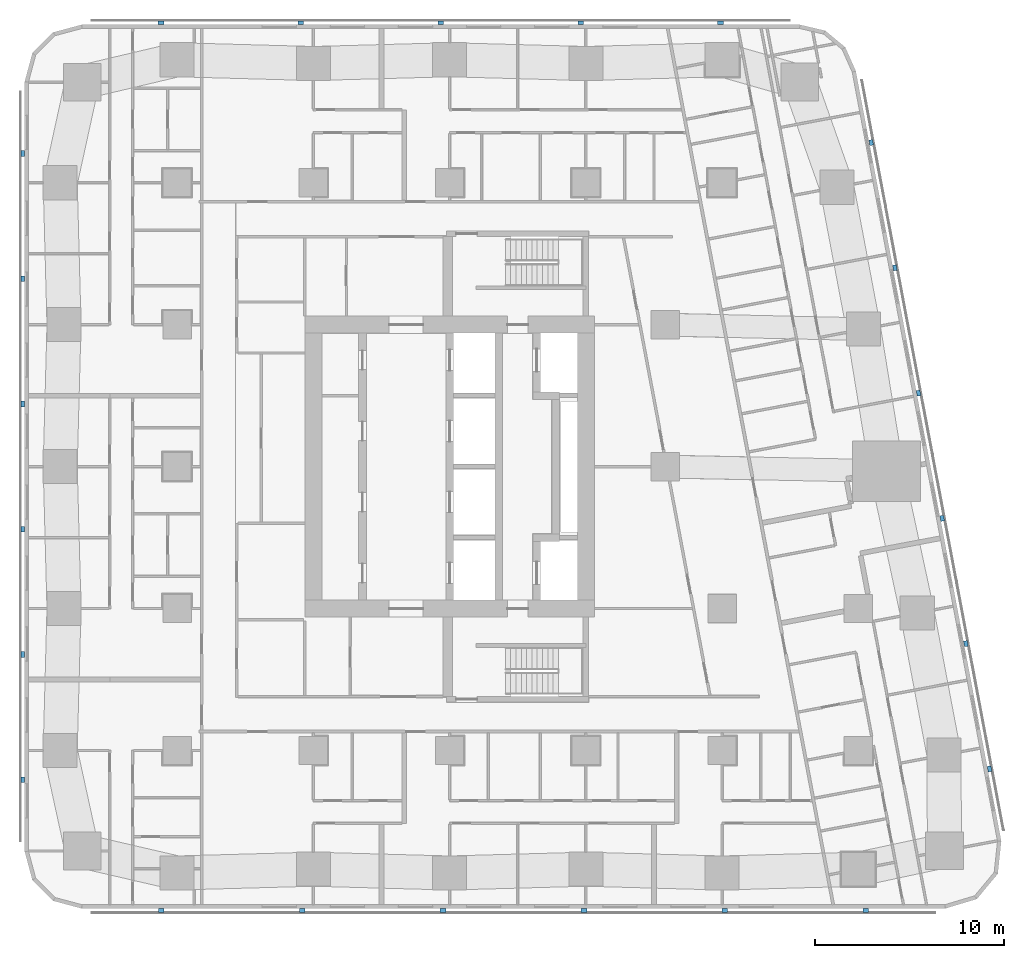
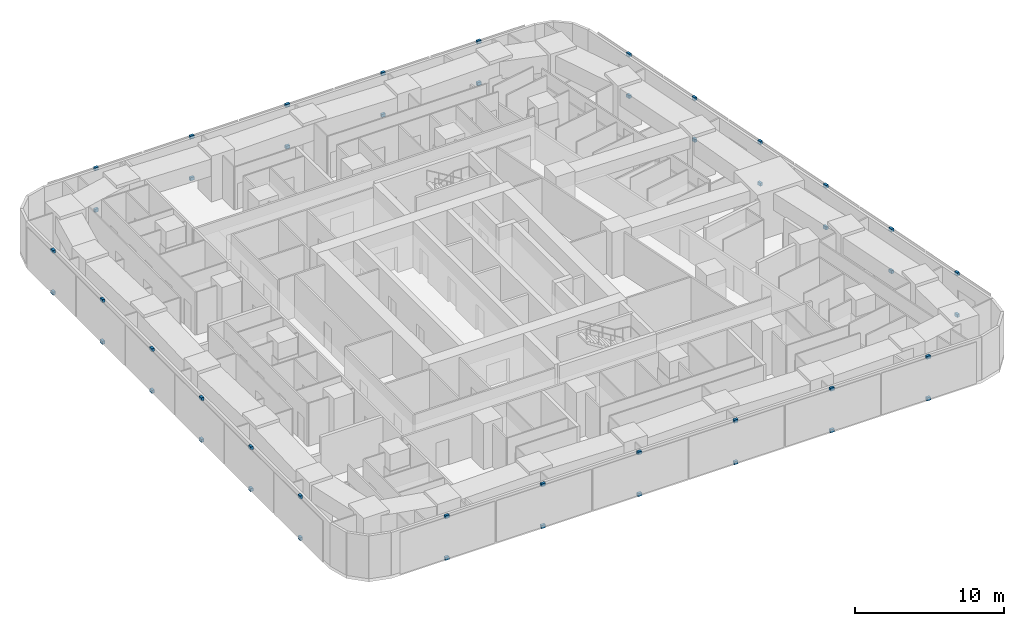
# One storey, part 12 of 15: 46 discrete accessories.
"""IFC4 building model written with IfcOpenShell, lengths in metres."""

from ifc_helpers import new_model, si_unit, direction, frame, origin, origin_2d, place, context, subcontext, project, spatial, rectangle, extrude, material, type_object, element, save


model = new_model("IFC4")

# Units and contexts
model_context = context("Model", 3, precision=1e-05, world=origin(), true_north=direction((0.0, 1.0)))
body_context = subcontext(model_context, "Body", "Model", "MODEL_VIEW")
ifc_project = project(units=[si_unit("LENGTHUNIT", "METRE"), si_unit("AREAUNIT", "SQUARE_METRE"), si_unit("VOLUMEUNIT", "CUBIC_METRE"), si_unit("PLANEANGLEUNIT", "RADIAN"), si_unit("MASSUNIT", "GRAM", prefix="KILO")], contexts=[model_context])

# Site, building, storey
site_placement = place(None, origin())
site = spatial("IfcSite", under=ifc_project, at=site_placement, CompositionType="ELEMENT")
building_placement = place(site_placement, origin())
building = spatial("IfcBuilding", under=site, at=building_placement, Name="Sheger Commons Tower", CompositionType="ELEMENT")
storey_placement = place(building_placement, frame((0.0, 0.0, 158.300048828125)))
storey = spatial("IfcBuildingStorey", under=building, at=storey_placement, Name="L40", CompositionType="ELEMENT", Elevation=158.300048828125)

# Discrete accessories
ifc_material = material(Name="Black painted steel bracket", Category="steel")
discrete_accessory_type = type_object("IfcDiscreteAccessoryType", Name="SCREEN BRACKET 300x200x250", PredefinedType="BRACKET", material=ifc_material)
for number, where, z_axis, x_axis, name in (
    (1, (6.37109375, -0.949951171875, -0.10009765625), (0.0, 0.0, 1.0), (1.0, 0.0, 0.0), "Solar screen foot bracket"),
    (2, (6.37109375, -0.949951171875, 3.300048828125), (0.0, 0.0, 1.0), (1.0, 0.0, 0.0), "Solar screen head bracket"),
    (3, (13.81396484375, -0.949951171875, -0.10009765625), (0.0, 0.0, 1.0), (1.0, 0.0, 0.0), "Solar screen foot bracket"),
    (4, (13.81396484375, -0.949951171875, 3.300048828125), (0.0, 0.0, 1.0), (1.0, 0.0, 0.0), "Solar screen head bracket"),
    (5, (21.257080078125, -0.949951171875, -0.10009765625), (0.0, 0.0, 1.0), (1.0, 0.0, 0.0), "Solar screen foot bracket"),
    (6, (21.257080078125, -0.949951171875, 3.300048828125), (0.0, 0.0, 1.0), (1.0, 0.0, 0.0), "Solar screen head bracket"),
    (7, (28.698974609375, -0.949951171875, -0.10009765625), (0.0, 0.0, 1.0), (1.0, 0.0, 0.0), "Solar screen foot bracket"),
    (8, (28.698974609375, -0.949951171875, 3.300048828125), (0.0, 0.0, 1.0), (1.0, 0.0, 0.0), "Solar screen head bracket"),
    (9, (36.14208984375, -0.949951171875, -0.10009765625), (0.0, 0.0, 1.0), (1.0, 0.0, 0.0), "Solar screen foot bracket"),
    (10, (36.14208984375, -0.949951171875, 3.300048828125), (0.0, 0.0, 1.0), (1.0, 0.0, 0.0), "Solar screen head bracket"),
    (11, (43.5849609375, -0.949951171875, -0.10009765625), (0.0, 0.0, 1.0), (1.0, 0.0, 0.0), "Solar screen foot bracket"),
    (12, (43.5849609375, -0.949951171875, 3.300048828125), (0.0, 0.0, 1.0), (1.0, 0.0, 0.0), "Solar screen head bracket"),
    (13, (50.134033203125, 6.527099609375, -0.10009765625), (0.0, 0.0, 1.0), (-0.185615165645, 0.982622516678, 0.0), "Solar screen foot bracket"),
    (14, (50.134033203125, 6.527099609375, 3.300048828125), (0.0, 0.0, 1.0), (-0.185615165645, 0.982622516678, 0.0), "Solar screen head bracket"),
    (15, (48.884033203125, 13.14599609375, -0.10009765625), (0.0, 0.0, 1.0), (-0.185615165645, 0.982622516678, 0.0), "Solar screen foot bracket"),
    (16, (48.884033203125, 13.14599609375, 3.300048828125), (0.0, 0.0, 1.0), (-0.185615165645, 0.982622516678, 0.0), "Solar screen head bracket"),
    (17, (47.633056640625, 19.76611328125, -0.10009765625), (0.0, 0.0, 1.0), (-0.185615165645, 0.982622516678, 0.0), "Solar screen foot bracket"),
    (18, (47.633056640625, 19.76611328125, 3.300048828125), (0.0, 0.0, 1.0), (-0.185615165645, 0.982622516678, 0.0), "Solar screen head bracket"),
    (19, (46.383056640625, 26.385009765625, -0.10009765625), (0.0, 0.0, 1.0), (-0.185615165645, 0.982622516678, 0.0), "Solar screen foot bracket"),
    (20, (46.383056640625, 26.385009765625, 3.300048828125), (0.0, 0.0, 1.0), (-0.185615165645, 0.982622516678, 0.0), "Solar screen head bracket"),
    (21, (45.133056640625, 33.0048828125, -0.10009765625), (0.0, 0.0, 1.0), (-0.185615165645, 0.982622516678, 0.0), "Solar screen foot bracket"),
    (22, (45.133056640625, 33.0048828125, 3.300048828125), (0.0, 0.0, 1.0), (-0.185615165645, 0.982622516678, 0.0), "Solar screen head bracket"),
    (23, (43.882080078125, 39.6240234375, -0.10009765625), (0.0, 0.0, 1.0), (-0.185615165645, 0.982622516678, 0.0), "Solar screen foot bracket"),
    (24, (43.882080078125, 39.6240234375, 3.300048828125), (0.0, 0.0, 1.0), (-0.185615165645, 0.982622516678, 0.0), "Solar screen head bracket"),
    (25, (35.9208984375, 45.949951171875, -0.10009765625), (0.0, 0.0, 1.0), (-1.0, 0.0, 0.0), "Solar screen foot bracket"),
    (26, (35.9208984375, 45.949951171875, 3.300048828125), (0.0, 0.0, 1.0), (-1.0, 0.0, 0.0), "Solar screen head bracket"),
    (27, (28.528076171875, 45.949951171875, -0.10009765625), (0.0, 0.0, 1.0), (-1.0, 0.0, 0.0), "Solar screen foot bracket"),
    (28, (28.528076171875, 45.949951171875, 3.300048828125), (0.0, 0.0, 1.0), (-1.0, 0.0, 0.0), "Solar screen head bracket"),
    (29, (21.134033203125, 45.949951171875, -0.10009765625), (0.0, 0.0, 1.0), (-1.0, 0.0, 0.0), "Solar screen foot bracket"),
    (30, (21.134033203125, 45.949951171875, 3.300048828125), (0.0, 0.0, 1.0), (-1.0, 0.0, 0.0), "Solar screen head bracket"),
    (31, (13.739990234375, 45.949951171875, -0.10009765625), (0.0, 0.0, 1.0), (-1.0, 0.0, 0.0), "Solar screen foot bracket"),
    (32, (13.739990234375, 45.949951171875, 3.300048828125), (0.0, 0.0, 1.0), (-1.0, 0.0, 0.0), "Solar screen head bracket"),
    (33, (6.346923828125, 45.949951171875, -0.10009765625), (0.0, 0.0, 1.0), (-1.0, 0.0, 0.0), "Solar screen foot bracket"),
    (34, (6.346923828125, 45.949951171875, 3.300048828125), (0.0, 0.0, 1.0), (-1.0, 0.0, 0.0), "Solar screen head bracket"),
    (35, (-0.949951171875, 39.0419921875, -0.10009765625), (0.0, 0.0, 1.0), (0.0, -1.0, 0.0), "Solar screen foot bracket"),
    (36, (-0.949951171875, 39.0419921875, 3.300048828125), (0.0, 0.0, 1.0), (0.0, -1.0, 0.0), "Solar screen head bracket"),
    (37, (-0.949951171875, 32.425048828125, -0.10009765625), (0.0, 0.0, 1.0), (0.0, -1.0, 0.0), "Solar screen foot bracket"),
    (38, (-0.949951171875, 32.425048828125, 3.300048828125), (0.0, 0.0, 1.0), (0.0, -1.0, 0.0), "Solar screen head bracket"),
    (39, (-0.949951171875, 25.80810546875, -0.10009765625), (0.0, 0.0, 1.0), (0.0, -1.0, 0.0), "Solar screen foot bracket"),
    (40, (-0.949951171875, 25.80810546875, 3.300048828125), (0.0, 0.0, 1.0), (0.0, -1.0, 0.0), "Solar screen head bracket"),
    (41, (-0.949951171875, 19.19189453125, -0.10009765625), (0.0, 0.0, 1.0), (0.0, -1.0, 0.0), "Solar screen foot bracket"),
    (42, (-0.949951171875, 19.19189453125, 3.300048828125), (0.0, 0.0, 1.0), (0.0, -1.0, 0.0), "Solar screen head bracket"),
    (43, (-0.949951171875, 12.574951171875, -0.10009765625), (0.0, 0.0, 1.0), (0.0, -1.0, 0.0), "Solar screen foot bracket"),
    (44, (-0.949951171875, 12.574951171875, 3.300048828125), (0.0, 0.0, 1.0), (0.0, -1.0, 0.0), "Solar screen head bracket"),
    (45, (-0.949951171875, 5.9580078125, -0.10009765625), (0.0, 0.0, 1.0), (0.0, -1.0, 0.0), "Solar screen foot bracket"),
    (46, (-0.949951171875, 5.9580078125, 3.300048828125), (0.0, 0.0, 1.0), (0.0, -1.0, 0.0), "Solar screen head bracket"),
):
    element("IfcDiscreteAccessory", number, at=place(storey_placement, frame(where, z_axis=z_axis, x_axis=x_axis)), inside=storey, type_object=discrete_accessory_type, Name=name, PredefinedType="BRACKET", context=body_context, shape_type="SweptSolid", body=[
        extrude(rectangle(XDim=0.300048828125, YDim=0.199951171875, at=origin_2d()), origin(), (0.0, 0.0, 1.0), 0.25),
    ])

save(model, "model.ifc")
